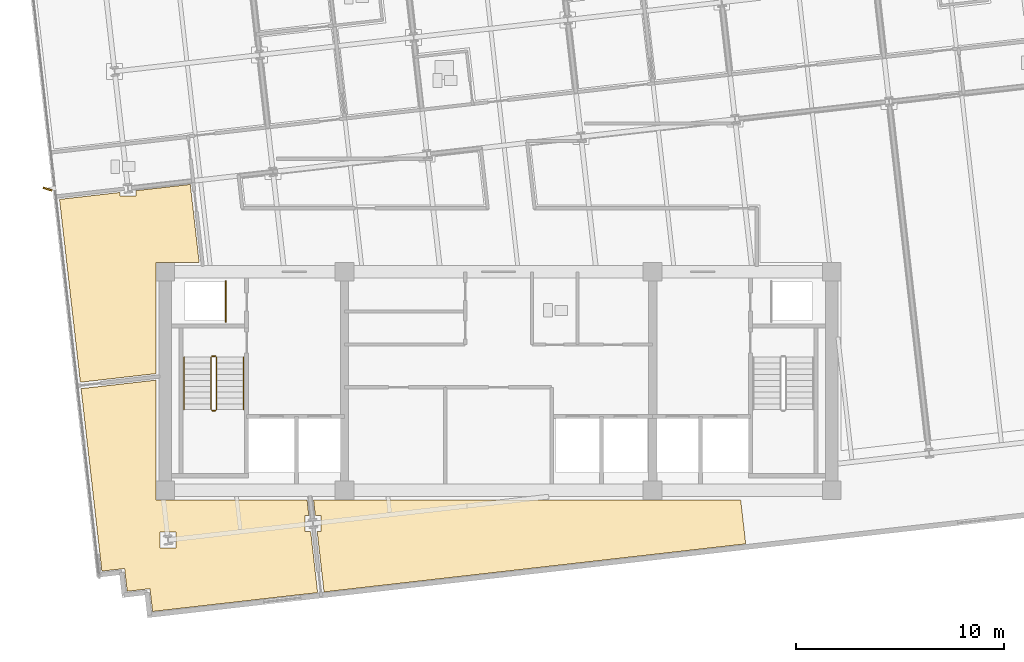
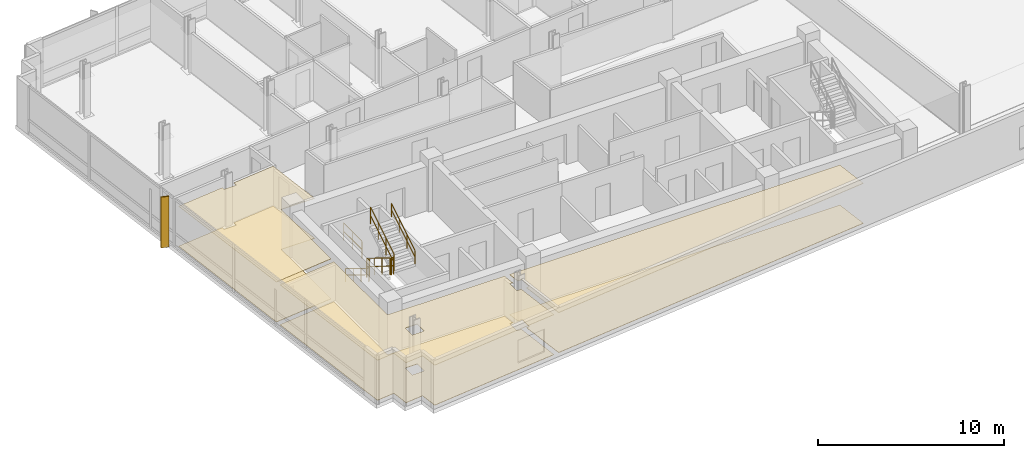
# One storey, part 12 of 16: 7 railings, 6 coverings, 1 shading device.
"""IFC4 building model written with IfcOpenShell, lengths in metres."""

from ifc_helpers import new_model, si_unit, direction, frame, origin, origin_2d, place, context, subcontext, project, spatial, polyline, rectangle, circle, outline, extrude, material, layer, layer_set, type_object, element, save


model = new_model("IFC4")

# Units and contexts
model_context = context("Model", 3, precision=1e-05, world=origin(), true_north=direction((0.0, 1.0)))
body_context = subcontext(model_context, "Body", "Model", "MODEL_VIEW")
ifc_project = project(units=[si_unit("LENGTHUNIT", "METRE"), si_unit("AREAUNIT", "SQUARE_METRE"), si_unit("VOLUMEUNIT", "CUBIC_METRE"), si_unit("PLANEANGLEUNIT", "RADIAN"), si_unit("MASSUNIT", "GRAM", prefix="KILO")], contexts=[model_context])

# Site, building, storey
site_placement = place(None, origin())
site = spatial("IfcSite", under=ifc_project, at=site_placement, CompositionType="ELEMENT")
building_placement = place(site_placement, origin())
building = spatial("IfcBuilding", under=site, at=building_placement, Name="Solmavex Isthmus Hotel", CompositionType="ELEMENT")
storey_placement = place(building_placement, frame((0.0, 0.0, 212.39990234375)))
storey = spatial("IfcBuildingStorey", under=building, at=storey_placement, Name="L57", CompositionType="ELEMENT", Elevation=212.39990234375)

# Coverings
ifc_material_1 = material(Name="Gypsum plasterboard lining", Category="gypsum")
ifc_layer_1 = layer(ifc_material_1, 0.030029296875)
ifc_layer_set_1 = layer_set([ifc_layer_1], Name="Gypsum plasterboard lining")
covering_type_1 = type_object("IfcCoveringType", Name="COV-CEIL-GYP", PredefinedType="CEILING", material=ifc_layer_set_1)
covering_1_placement = place(storey_placement, frame((0.0, 0.0, 2.6201171875)))
element("IfcCovering", 1, at=covering_1_placement, inside=storey, type_object=covering_type_1, Name="Suspended Acoustic Ceiling L57-FL10", PredefinedType="CEILING", context=body_context, shape_type="SweptSolid", body=[
    extrude(outline(polyline([(-17.4169921875, 1.39453125), (-17.4169921875, 1.12744140625), (-18.177001953125, 1.12744140625), (-18.177001953125, 1.30810546875), (-21.0830078125, 0.97705078125), (-20.58544921875, -3.389892578125), (-20.082275390625, -7.80615234375), (-16.455078125, -7.39306640625), (-16.455078125, -2.044921875), (-14.3779296875, -2.044921875), (-14.8037109375, 1.6923828125), (-17.4169921875, 1.39453125)])), origin(), (0.0, 0.0, 1.0), 0.030029296875),
])
covering_2_placement = place(storey_placement, frame((0.0, 0.0, 2.6201171875)))
element("IfcCovering", 2, at=covering_2_placement, inside=storey, type_object=covering_type_1, Name="Suspended Acoustic Ceiling L57-FL11", PredefinedType="CEILING", context=body_context, shape_type="SweptSolid", body=[
    extrude(outline(polyline([(-9.022216796875, -14.969970703125), (-9.28955078125, -14.969970703125), (-9.28955078125, -14.2099609375), (-9.10888671875, -14.2099609375), (-9.114501953125, -14.160400390625), (-9.19482421875, -13.455078125), (-16.455078125, -13.455078125), (-16.455078125, -7.704833984375), (-20.047119140625, -8.1142578125), (-19.22705078125, -15.312744140625), (-19.14208984375, -16.057861328125), (-19.048828125, -16.87744140625), (-17.955810546875, -16.7529296875), (-17.831298828125, -17.845947265625), (-16.73828125, -17.721435546875), (-16.61376953125, -18.814453125), (-15.794189453125, -18.720947265625), (-8.687255859375, -17.9111328125), (-9.022216796875, -14.969970703125)]), holes=[polyline([(-16.25244140625, -15.763427734375), (-16.25244140625, -15.00341796875), (-15.492431640625, -15.00341796875), (-15.492431640625, -15.763427734375), (-16.25244140625, -15.763427734375)])]), origin(), (0.0, 0.0, 1.0), 0.030029296875),
])
covering_3_placement = place(storey_placement, frame((0.0, 0.0, 2.6201171875)))
element("IfcCovering", 3, at=covering_3_placement, inside=storey, type_object=covering_type_1, Name="Suspended Acoustic Ceiling L57-FL12", PredefinedType="CEILING", context=body_context, shape_type="SweptSolid", body=[
    extrude(outline(polyline([(-8.796875, -14.2099609375), (-8.529541015625, -14.2099609375), (-8.529541015625, -14.969970703125), (-8.710205078125, -14.969970703125), (-8.379150390625, -17.876220703125), (2.487548828125, -16.637939453125), (11.871826171875, -15.56884765625), (11.631103515625, -13.455078125), (-8.8828125, -13.455078125), (-8.796875, -14.2099609375)])), origin(), (0.0, 0.0, 1.0), 0.030029296875),
])
ifc_material_2 = material(Name="Travertine natural stone", Category="masonry")
ifc_layer_2 = layer(ifc_material_2, 0.02490234375)
ifc_layer_set_2 = layer_set([ifc_layer_2], Name="Travertine natural stone")
covering_type_2 = type_object("IfcCoveringType", Name="COV-FLOR-STN", PredefinedType="FLOORING", material=ifc_layer_set_2)
covering_4_placement = place(storey_placement, origin())
element("IfcCovering", 4, at=covering_4_placement, inside=storey, type_object=covering_type_2, Name="Stone and Timber Floor Finish L57-FL10", PredefinedType="FLOORING", context=body_context, shape_type="SweptSolid", body=[
    extrude(outline(polyline([(-17.4169921875, 1.39453125), (-17.4169921875, 1.12744140625), (-18.177001953125, 1.12744140625), (-18.177001953125, 1.30810546875), (-21.0830078125, 0.97705078125), (-20.58544921875, -3.389892578125), (-20.082275390625, -7.80615234375), (-16.455078125, -7.39306640625), (-16.455078125, -2.044921875), (-14.3779296875, -2.044921875), (-14.8037109375, 1.6923828125), (-17.4169921875, 1.39453125)])), origin(), (0.0, 0.0, 1.0), 0.025146484375),
])
covering_5_placement = place(storey_placement, origin())
element("IfcCovering", 5, at=covering_5_placement, inside=storey, type_object=covering_type_2, Name="Stone and Timber Floor Finish L57-FL11", PredefinedType="FLOORING", context=body_context, shape_type="SweptSolid", body=[
    extrude(outline(polyline([(-9.022216796875, -14.969970703125), (-9.28955078125, -14.969970703125), (-9.28955078125, -14.2099609375), (-9.10888671875, -14.2099609375), (-9.114501953125, -14.160400390625), (-9.19482421875, -13.455078125), (-16.455078125, -13.455078125), (-16.455078125, -7.704833984375), (-20.047119140625, -8.1142578125), (-19.22705078125, -15.312744140625), (-19.14208984375, -16.057861328125), (-19.048828125, -16.87744140625), (-17.955810546875, -16.7529296875), (-17.831298828125, -17.845947265625), (-16.73828125, -17.721435546875), (-16.61376953125, -18.814453125), (-15.794189453125, -18.720947265625), (-8.687255859375, -17.9111328125), (-9.022216796875, -14.969970703125)]), holes=[polyline([(-16.25244140625, -15.763427734375), (-16.25244140625, -15.00341796875), (-15.492431640625, -15.00341796875), (-15.492431640625, -15.763427734375), (-16.25244140625, -15.763427734375)])]), origin(), (0.0, 0.0, 1.0), 0.025146484375),
])
covering_6_placement = place(storey_placement, origin())
element("IfcCovering", 6, at=covering_6_placement, inside=storey, type_object=covering_type_2, Name="Stone and Timber Floor Finish L57-FL12", PredefinedType="FLOORING", context=body_context, shape_type="SweptSolid", body=[
    extrude(outline(polyline([(-8.796875, -14.2099609375), (-8.529541015625, -14.2099609375), (-8.529541015625, -14.969970703125), (-8.710205078125, -14.969970703125), (-8.379150390625, -17.876220703125), (2.487548828125, -16.637939453125), (11.871826171875, -15.56884765625), (11.631103515625, -13.455078125), (-8.8828125, -13.455078125), (-8.796875, -14.2099609375)])), origin(), (0.0, 0.0, 1.0), 0.025146484375),
])

# Railings
ifc_material_3 = material(Name="Clear low-E laminated glass", Category="glass")
ifc_layer_3 = layer(ifc_material_3, 0.080078125)
ifc_layer_set_3 = layer_set([ifc_layer_3], Name="Clear low-E laminated glass")
railing_type_1 = type_object("IfcRailingType", Name="RAIL-ATRIUM-1120", PredefinedType="BALUSTRADE", material=ifc_layer_set_3)
railing_1_placement = place(storey_placement, frame((-13.10009765625, -4.89990234375, 0.0)))
element("IfcRailing", 7, at=railing_1_placement, inside=storey, type_object=railing_type_1, Name="Guardrail Balustrade L57-RSW-01", PredefinedType="BALUSTRADE", context=body_context, shape_type="SweptSolid", body=[
    extrude(circle(Radius=0.02392578125, at=origin_2d()), frame((0.0, 0.0, 1.1259765625), z_axis=(0.0, 1.0, 0.0), x_axis=(-1.0, 0.0, 0.0)), (0.0, 0.0, 1.0), 1.949951171875),
    extrude(circle(Radius=0.02392578125, at=origin_2d()), frame((0.0, 0.0, 0.574951171875), z_axis=(0.0, 1.0, 0.0), x_axis=(-1.0, 0.0, 0.0)), (0.0, 0.0, 1.0), 1.949951171875),
    extrude(circle(Radius=0.02099609375, at=origin_2d()), origin(), (0.0, 0.0, 1.0), 1.101806640625),
    extrude(circle(Radius=0.02099609375, at=origin_2d()), frame((0.0, 0.97509765625, 0.0)), (0.0, 0.0, 1.0), 1.101806640625),
    extrude(circle(Radius=0.02099609375, at=origin_2d()), frame((0.0, 1.949951171875, 0.0)), (0.0, 0.0, 1.0), 1.101806640625),
])
ifc_material_4 = material(Name="Stainless steel 316", Category="steel")
ifc_layer_4 = layer(ifc_material_4, 0.06005859375)
ifc_layer_set_4 = layer_set([ifc_layer_4], Name="Stainless steel 316")
railing_type_2 = type_object("IfcRailingType", Name="RAIL-STAIR-GD", PredefinedType="GUARDRAIL", material=ifc_layer_set_4)
railing_2_placement = place(storey_placement, frame((-13.800048828125, -6.60009765625, 0.172607421875)))
element("IfcRailing", 8, at=railing_2_placement, inside=storey, type_object=railing_type_2, Name="L57 ST-1 stair guard 1", PredefinedType="GUARDRAIL", context=body_context, shape_type="SweptSolid", body=[
    extrude(circle(Radius=0.02392578125, at=origin_2d()), frame((0.0, 0.0, 1.09619140625), z_axis=(0.0, -0.851400495292, 0.524516154772), x_axis=(1.0, 0.0, 0.0)), (0.0, 0.0, 1.0), 2.9599609375),
    extrude(circle(Radius=0.02392578125, at=origin_2d()), frame((0.0, 0.0, 0.56005859375), z_axis=(0.0, -0.851400495292, 0.524516154772), x_axis=(1.0, 0.0, 0.0)), (0.0, 0.0, 1.0), 2.9599609375),
    extrude(circle(Radius=0.02099609375, at=origin_2d()), origin(), (0.0, 0.0, 1.0), 1.072021484375),
    extrude(circle(Radius=0.02099609375, at=origin_2d()), frame((0.0, -0.840087890625, 0.517578125)), (0.0, 0.0, 1.0), 1.072021484375),
    extrude(circle(Radius=0.02099609375, at=origin_2d()), frame((0.0, -1.679931640625, 1.034912109375)), (0.0, 0.0, 1.0), 1.072021484375),
    extrude(circle(Radius=0.02099609375, at=origin_2d()), frame((0.0, -2.52001953125, 1.552490234375)), (0.0, 0.0, 1.0), 1.072021484375),
])
railing_3_placement = place(storey_placement, frame((-13.75, -9.169921875, 1.72509765625)))
element("IfcRailing", 9, at=railing_3_placement, inside=storey, type_object=railing_type_2, Name="L57 ST-1 stair guard 2", PredefinedType="GUARDRAIL", context=body_context, shape_type="SweptSolid", body=[
    extrude(circle(Radius=0.02392578125, at=origin_2d()), frame((0.0, 0.0, 1.09619140625), z_axis=(1.0, 0.0, 0.0), x_axis=(0.0, 1.0, 0.0)), (0.0, 0.0, 1.0), 0.14990234375),
    extrude(circle(Radius=0.02392578125, at=origin_2d()), frame((0.0, 0.0, 0.56005859375), z_axis=(1.0, 0.0, 0.0), x_axis=(0.0, 1.0, 0.0)), (0.0, 0.0, 1.0), 0.14990234375),
    extrude(circle(Radius=0.02099609375, at=origin_2d()), origin(), (0.0, 0.0, 1.0), 1.072021484375),
    extrude(circle(Radius=0.02099609375, at=origin_2d()), frame((0.14990234375, 0.0, 0.0)), (0.0, 0.0, 1.0), 1.072021484375),
])
railing_4_placement = place(storey_placement, frame((-13.550048828125, -9.1201171875, 1.897705078125)))
element("IfcRailing", 10, at=railing_4_placement, inside=storey, type_object=railing_type_2, Name="L57 ST-1 stair guard 3", PredefinedType="GUARDRAIL", context=body_context, shape_type="SweptSolid", body=[
    extrude(circle(Radius=0.02392578125, at=origin_2d()), frame((0.0, 0.0, 1.09619140625), z_axis=(0.0, 0.851400495292, 0.524516154772), x_axis=(-1.0, 0.0, 0.0)), (0.0, 0.0, 1.0), 2.9599609375),
    extrude(circle(Radius=0.02392578125, at=origin_2d()), frame((0.0, 0.0, 0.56005859375), z_axis=(0.0, 0.851400495292, 0.524516154772), x_axis=(-1.0, 0.0, 0.0)), (0.0, 0.0, 1.0), 2.9599609375),
    extrude(circle(Radius=0.02099609375, at=origin_2d()), origin(), (0.0, 0.0, 1.0), 1.072021484375),
    extrude(circle(Radius=0.02099609375, at=origin_2d()), frame((0.0, 0.840087890625, 0.517578125)), (0.0, 0.0, 1.0), 1.072021484375),
    extrude(circle(Radius=0.02099609375, at=origin_2d()), frame((0.0, 1.679931640625, 1.034912109375)), (0.0, 0.0, 1.0), 1.072021484375),
    extrude(circle(Radius=0.02099609375, at=origin_2d()), frame((0.0, 2.52001953125, 1.552490234375)), (0.0, 0.0, 1.0), 1.072021484375),
])
railing_5_placement = place(storey_placement, frame((-13.75, -6.550048828125, 0.0)))
element("IfcRailing", 11, at=railing_5_placement, inside=storey, type_object=railing_type_2, Name="L57 ST-1 stair guard 4", PredefinedType="GUARDRAIL", context=body_context, shape_type="SweptSolid", body=[
    extrude(circle(Radius=0.02392578125, at=origin_2d()), frame((0.0, 0.0, 1.09619140625), z_axis=(1.0, 0.0, 0.0), x_axis=(0.0, 1.0, 0.0)), (0.0, 0.0, 1.0), 0.14990234375),
    extrude(circle(Radius=0.02392578125, at=origin_2d()), frame((0.0, 0.0, 0.56005859375), z_axis=(1.0, 0.0, 0.0), x_axis=(0.0, 1.0, 0.0)), (0.0, 0.0, 1.0), 0.14990234375),
    extrude(circle(Radius=0.02099609375, at=origin_2d()), origin(), (0.0, 0.0, 1.0), 1.072021484375),
    extrude(circle(Radius=0.02099609375, at=origin_2d()), frame((0.14990234375, 0.0, 0.0)), (0.0, 0.0, 1.0), 1.072021484375),
])
ifc_layer_5 = layer(ifc_material_4, 0.050048828125)
ifc_layer_set_5 = layer_set([ifc_layer_5], Name="Stainless steel 316")
railing_type_3 = type_object("IfcRailingType", Name="RAIL-STAIR-HR", PredefinedType="HANDRAIL", material=ifc_layer_set_5)
railing_6_placement = place(storey_placement, frame((-15.10009765625, -6.60009765625, 0.172607421875)))
element("IfcRailing", 12, at=railing_6_placement, inside=storey, type_object=railing_type_3, Name="L57 ST-1 stair handrail 1", PredefinedType="HANDRAIL", context=body_context, shape_type="SweptSolid", body=[
    extrude(circle(Radius=0.02392578125, at=origin_2d()), frame((0.0, 0.0, 0.8759765625), z_axis=(0.0, -0.851400495292, 0.524516154772), x_axis=(1.0, 0.0, 0.0)), (0.0, 0.0, 1.0), 2.9599609375),
    extrude(circle(Radius=0.02392578125, at=origin_2d()), frame((0.0, 0.0, 0.449951171875), z_axis=(0.0, -0.851400495292, 0.524516154772), x_axis=(1.0, 0.0, 0.0)), (0.0, 0.0, 1.0), 2.9599609375),
    extrude(circle(Radius=0.02099609375, at=origin_2d()), origin(), (0.0, 0.0, 1.0), 0.851806640625),
    extrude(circle(Radius=0.02099609375, at=origin_2d()), frame((0.0, -0.840087890625, 0.517578125)), (0.0, 0.0, 1.0), 0.851806640625),
    extrude(circle(Radius=0.02099609375, at=origin_2d()), frame((0.0, -1.679931640625, 1.034912109375)), (0.0, 0.0, 1.0), 0.851806640625),
    extrude(circle(Radius=0.02099609375, at=origin_2d()), frame((0.0, -2.52001953125, 1.552490234375)), (0.0, 0.0, 1.0), 0.851806640625),
])
railing_7_placement = place(storey_placement, frame((-12.25, -9.1201171875, 1.897705078125)))
element("IfcRailing", 13, at=railing_7_placement, inside=storey, type_object=railing_type_3, Name="L57 ST-1 stair handrail 2", PredefinedType="HANDRAIL", context=body_context, shape_type="SweptSolid", body=[
    extrude(circle(Radius=0.02392578125, at=origin_2d()), frame((0.0, 0.0, 0.8759765625), z_axis=(0.0, 0.851400495292, 0.524516154772), x_axis=(-1.0, 0.0, 0.0)), (0.0, 0.0, 1.0), 2.9599609375),
    extrude(circle(Radius=0.02392578125, at=origin_2d()), frame((0.0, 0.0, 0.449951171875), z_axis=(0.0, 0.851400495292, 0.524516154772), x_axis=(-1.0, 0.0, 0.0)), (0.0, 0.0, 1.0), 2.9599609375),
    extrude(circle(Radius=0.02099609375, at=origin_2d()), origin(), (0.0, 0.0, 1.0), 0.851806640625),
    extrude(circle(Radius=0.02099609375, at=origin_2d()), frame((0.0, 0.840087890625, 0.517578125)), (0.0, 0.0, 1.0), 0.851806640625),
    extrude(circle(Radius=0.02099609375, at=origin_2d()), frame((0.0, 1.679931640625, 1.034912109375)), (0.0, 0.0, 1.0), 0.851806640625),
    extrude(circle(Radius=0.02099609375, at=origin_2d()), frame((0.0, 2.52001953125, 1.552490234375)), (0.0, 0.0, 1.0), 0.851806640625),
])

# Shading device
ifc_material_5 = material(Name="Aluminium alloy 6063-T6", Category="aluminium")
shading_device_type = type_object("IfcShadingDeviceType", Name="SHD-FIN-BRONZE", PredefinedType="USERDEFINED", material=ifc_material_5)
shading_device_placement = place(storey_placement, frame((-21.657470703125, 1.469970703125, -0.139892578125), z_axis=(0.0, 0.0, 1.0), x_axis=(-0.953716950748, 0.300705799504, 0.0)))
element("IfcShadingDevice", 14, at=shading_device_placement, inside=storey, type_object=shading_device_type, Name="Anodised Aluminium Solar Fin L57-W1", ObjectType="SOLAR_FIN", PredefinedType="USERDEFINED", context=body_context, shape_type="SweptSolid", body=[
    extrude(rectangle(XDim=0.449951171875, YDim=0.080078125, at=origin_2d()), origin(), (0.0, 0.0, 1.0), 3.330078125),
])

save(model, "model.ifc")
